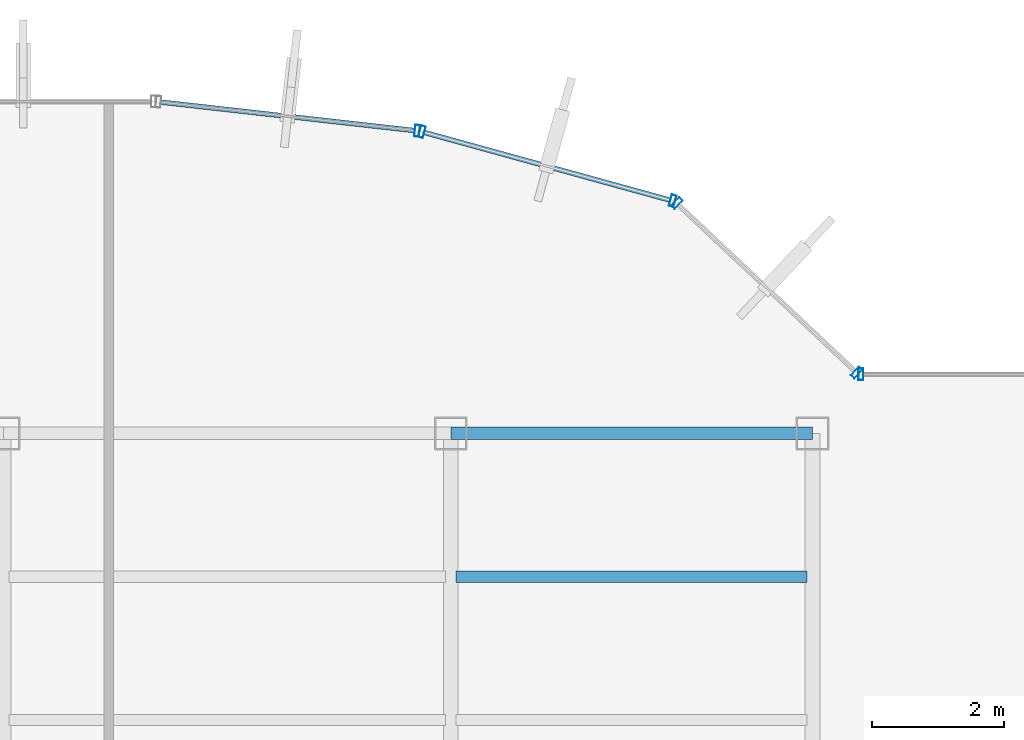
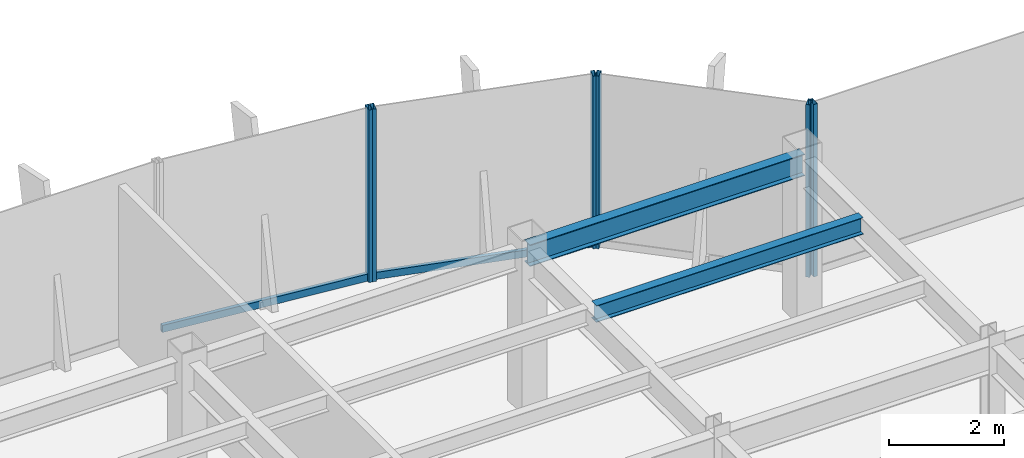
# One storey, part 14 of 22: 8 members, 2 beams, 4 elements without a shape of their own.
"""IFC4 building model written with IfcOpenShell, lengths in metres."""

from ifc_helpers import new_model, si_unit, derived_unit, direction, frame, origin, origin_2d, place, context, subcontext, project, spatial, hollow_rectangle, i_section, extrude, source, transform, mapped, material, material_profile, profile_set, type_object, element, aggregate, save


model = new_model("IFC4")

# Units and contexts
model_context = context("Model", 3, precision=1e-05, world=origin(), true_north=direction((0.0, 1.0)))
body_context = subcontext(model_context, "Body", "Model", "MODEL_VIEW")
ifc_project = project(units=[si_unit("LENGTHUNIT", "METRE"), si_unit("AREAUNIT", "SQUARE_METRE"), si_unit("VOLUMEUNIT", "CUBIC_METRE"), si_unit("PLANEANGLEUNIT", "RADIAN"), si_unit("MASSUNIT", "GRAM", prefix="KILO"), derived_unit("THERMALTRANSMITTANCEUNIT", [(si_unit("POWERUNIT", "WATT"), 1), (si_unit("LENGTHUNIT", "METRE"), -2), (si_unit("THERMODYNAMICTEMPERATUREUNIT", "KELVIN"), -1)])], contexts=[model_context])

# Site, building, storey
site_placement = place(None, origin())
site = spatial("IfcSite", under=ifc_project, at=site_placement, CompositionType="ELEMENT")
building_placement = place(site_placement, origin())
building = spatial("IfcBuilding", under=site, at=building_placement, Name="Skarnbrae Concourse Arena and Tower", CompositionType="ELEMENT")
storey_placement = place(building_placement, frame((0.0, 0.0, 192.25)))
storey = spatial("IfcBuildingStorey", under=building, at=storey_placement, Name="L49", CompositionType="ELEMENT", Elevation=192.25)

# Beams
ifc_material_1 = material(Name="Steel CSA G40.21 350W", Category="steel")
ifc_material_profile_1 = material_profile(ifc_material_1, i_section(OverallWidth=0.19091796875, OverallDepth=0.4599609375, WebThickness=0.010009765625, FlangeThickness=0.01611328125, at=origin_2d()), Name="W460X82")
ifc_profile_set_1 = profile_set([ifc_material_profile_1], Name="Steel CSA G40.21 350W")
beam_type_1 = type_object("IfcBeamType", Name="BM-SPAN-W460X82", PredefinedType="SPANDREL", material=ifc_profile_set_1)
shared_shape_1 = source(origin(), body_context, "Body", "SweptSolid", [
    extrude(i_section(OverallWidth=0.19091796875, OverallDepth=0.4599609375, WebThickness=0.010009765625, FlangeThickness=0.01611328125, at=origin_2d()), origin(), (0.0, 0.0, 1.0), 5.5),
])
beam_1_placement = place(storey_placement, frame((28.0, 34.39990234375, 3.169921875), z_axis=(1.0, 0.0, 0.0), x_axis=(0.0, 1.0, 0.0)))
element("IfcBeam", 1, at=beam_1_placement, inside=storey, type_object=beam_type_1, Name="L49 Perimeter spandrel Y34.4-4", PredefinedType="SPANDREL", context=body_context, shape_type="MappedRepresentation", body=[
    mapped(shared_shape_1, transform((0.0, 0.0, 0.0))),
])
ifc_material_profile_2 = material_profile(ifc_material_1, i_section(OverallWidth=0.1708984375, OverallDepth=0.35498046875, WebThickness=0.007080078125, FlangeThickness=0.01171875, at=origin_2d()), Name="W360X51")
ifc_profile_set_2 = profile_set([ifc_material_profile_2], Name="Steel CSA G40.21 350W")
beam_type_2 = type_object("IfcBeamType", Name="BM-JOIST-W360X51", PredefinedType="JOIST", material=ifc_profile_set_2)
shared_shape_2 = source(origin(), body_context, "Body", "SweptSolid", [
    extrude(i_section(OverallWidth=0.1708984375, OverallDepth=0.35498046875, WebThickness=0.007080078125, FlangeThickness=0.01171875, at=origin_2d()), origin(), (0.0, 0.0, 1.0), 5.33984375),
])
beam_2_placement = place(storey_placement, frame((28.080078125, 32.221923828125, 3.222412109375), z_axis=(1.0, 0.0, 0.0), x_axis=(0.0, 1.0, 0.0)))
element("IfcBeam", 2, at=beam_2_placement, inside=storey, type_object=beam_type_2, Name="L49 Secondary floor joist 3.2.4", PredefinedType="JOIST", context=body_context, shape_type="MappedRepresentation", body=[
    mapped(shared_shape_2, transform((0.0, 0.0, 0.0))),
])

# Curtain wall, member
ifc_material_2 = material(Name="Bronze anodised aluminium 6063-T6", Category="aluminium")
curtain_wall_type = type_object("IfcCurtainWallType", Name="CW-SYS-05-HIGHZONE", PredefinedType="USERDEFINED", material=ifc_material_2)
curtain_wall_1_placement = place(storey_placement, origin())
curtain_wall_1 = element("IfcCurtainWall", 3, at=curtain_wall_1_placement, inside=storey, type_object=curtain_wall_type, Name="L49 Unitised curtain wall CW-L49-E07", ObjectType="UNITISED CURTAIN WALL", PredefinedType="USERDEFINED")
ifc_material_profile_3 = material_profile(ifc_material_2, hollow_rectangle(XDim=0.074951171875, YDim=0.179931640625, WallThickness=0.00390625, at=origin_2d()), Name="ALU-MULL-75X180")
ifc_profile_set_3 = profile_set([ifc_material_profile_3], Name="Bronze anodised aluminium 6063-T6")
member_type_1 = type_object("IfcMemberType", Name="CWM-CW-05", PredefinedType="MULLION", material=ifc_profile_set_3)
shared_shape_3 = source(origin(), body_context, "Body", "SweptSolid", [
    extrude(hollow_rectangle(XDim=0.074951171875, YDim=0.179931640625, WallThickness=0.00390625, at=origin_2d()), origin(), (0.0, 0.0, 1.0), 3.64990234375),
])
member_1_placement = place(storey_placement, frame((34.237548828125, 35.300048828125, 0.0), z_axis=(0.0, 0.0, 1.0), x_axis=(-1.0, 0.0, 0.0)))
member_1 = element("IfcMember", 4, at=member_1_placement, type_object=member_type_1, Name="CW-L49-E07 Mullion 2", PredefinedType="MULLION", context=body_context, shape_type="MappedRepresentation", body=[
    mapped(shared_shape_3, transform((0.0, 0.0, 0.0))),
])
aggregate(curtain_wall_1, [member_1])

# Curtain wall, members
curtain_wall_2_placement = place(storey_placement, origin())
curtain_wall_2 = element("IfcCurtainWall", 5, at=curtain_wall_2_placement, inside=storey, type_object=curtain_wall_type, Name="L49 Unitised curtain wall CW-L49-E08", ObjectType="UNITISED CURTAIN WALL", PredefinedType="USERDEFINED")
member_2_placement = place(storey_placement, frame((34.172607421875, 35.32568359375, 0.0), z_axis=(0.0, 0.0, 1.0), x_axis=(-0.728130555214, 0.685438468838, 0.0)))
member_2 = element("IfcMember", 6, at=member_2_placement, type_object=member_type_1, Name="CW-L49-E08 Mullion 1", PredefinedType="MULLION", context=body_context, shape_type="MappedRepresentation", body=[
    mapped(shared_shape_3, transform((0.0, 0.0, 0.0))),
])
member_3_placement = place(storey_placement, frame((31.43701171875, 37.90087890625, 0.0), z_axis=(0.0, 0.0, 1.0), x_axis=(-0.728130555214, 0.685438468838, 0.0)))
member_3 = element("IfcMember", 7, at=member_3_placement, type_object=member_type_1, Name="CW-L49-E08 Mullion 2", PredefinedType="MULLION", context=body_context, shape_type="MappedRepresentation", body=[
    mapped(shared_shape_3, transform((0.0, 0.0, 0.0))),
])
aggregate(curtain_wall_2, [member_2, member_3])

curtain_wall_3_placement = place(storey_placement, origin())
curtain_wall_3 = element("IfcCurtainWall", 8, at=curtain_wall_3_placement, inside=storey, type_object=curtain_wall_type, Name="L49 Unitised curtain wall CW-L49-E09", ObjectType="UNITISED CURTAIN WALL", PredefinedType="USERDEFINED")
member_4_placement = place(storey_placement, frame((31.37353515625, 37.936767578125, 0.0), z_axis=(0.0, 0.0, 1.0), x_axis=(-0.964057388766, 0.265694093207, 0.0)))
member_4 = element("IfcMember", 9, at=member_4_placement, type_object=member_type_1, Name="CW-L49-E09 Mullion 1", PredefinedType="MULLION", context=body_context, shape_type="MappedRepresentation", body=[
    mapped(shared_shape_3, transform((0.0, 0.0, 0.0))),
])
member_5_placement = place(storey_placement, frame((27.56201171875, 38.987060546875, 0.0), z_axis=(0.0, 0.0, 1.0), x_axis=(-0.964057388766, 0.265694093207, 0.0)))
member_5 = element("IfcMember", 10, at=member_5_placement, type_object=member_type_1, Name="CW-L49-E09 Mullion 2", PredefinedType="MULLION", context=body_context, shape_type="MappedRepresentation", body=[
    mapped(shared_shape_3, transform((0.0, 0.0, 0.0))),
])

# Curtain wall, member
curtain_wall_4_placement = place(storey_placement, origin())
curtain_wall_4 = element("IfcCurtainWall", 11, at=curtain_wall_4_placement, inside=storey, type_object=curtain_wall_type, Name="L49 Unitised curtain wall CW-L49-E10", ObjectType="UNITISED CURTAIN WALL", PredefinedType="USERDEFINED")
member_6_placement = place(storey_placement, frame((27.488525390625, 39.001220703125, 0.0), z_axis=(0.0, 0.0, 1.0), x_axis=(-0.993768891873, 0.111460259941, 0.0)))
member_6 = element("IfcMember", 12, at=member_6_placement, type_object=member_type_1, Name="CW-L49-E10 Mullion 1", PredefinedType="MULLION", context=body_context, shape_type="MappedRepresentation", body=[
    mapped(shared_shape_3, transform((0.0, 0.0, 0.0))),
])

# Member
ifc_material_profile_4 = material_profile(ifc_material_2, hollow_rectangle(XDim=0.074951171875, YDim=0.14990234375, WallThickness=0.00390625, at=origin_2d()), Name="ALU-TRAN-75X150")
ifc_profile_set_4 = profile_set([ifc_material_profile_4], Name="Bronze anodised aluminium 6063-T6")
member_type_2 = type_object("IfcMemberType", Name="CWT-CW-05", PredefinedType="USERDEFINED", material=ifc_profile_set_4)
shared_shape_4 = source(origin(), body_context, "Body", "SweptSolid", [
    extrude(hollow_rectangle(XDim=0.074951171875, YDim=0.14990234375, WallThickness=0.00390625, at=origin_2d()), origin(), (0.0, 0.0, 1.0), 3.878662109375),
])
member_7_placement = place(storey_placement, frame((31.33740234375, 37.946533203125, 0.074951171875), z_axis=(-0.964042677713, 0.265747465742, 0.0), x_axis=(-0.265747465742, -0.964042677713, 0.0)))
member_7 = element("IfcMember", 13, at=member_7_placement, type_object=member_type_2, Name="CW-L49-E09 Transom 1", ObjectType="TRANSOM", PredefinedType="USERDEFINED", context=body_context, shape_type="MappedRepresentation", body=[
    mapped(shared_shape_4, transform((0.0, 0.0, 0.0))),
])

aggregate(curtain_wall_3, [member_4, member_5, member_7])

shared_shape_5 = source(origin(), body_context, "Body", "SweptSolid", [
    extrude(hollow_rectangle(XDim=0.074951171875, YDim=0.14990234375, WallThickness=0.00390625, at=origin_2d()), origin(), (0.0, 0.0, 1.0), 3.8837890625),
])
member_8_placement = place(storey_placement, frame((27.451416015625, 39.005615234375, 0.074951171875), z_axis=(-0.993776714154, 0.111390495128, 0.0), x_axis=(-0.111390495128, -0.993776714154, 0.0)))
member_8 = element("IfcMember", 14, at=member_8_placement, type_object=member_type_2, Name="CW-L49-E10 Transom 1", ObjectType="TRANSOM", PredefinedType="USERDEFINED", context=body_context, shape_type="MappedRepresentation", body=[
    mapped(shared_shape_5, transform((0.0, 0.0, 0.0))),
])

aggregate(curtain_wall_4, [member_6, member_8])

save(model, "model.ifc")
